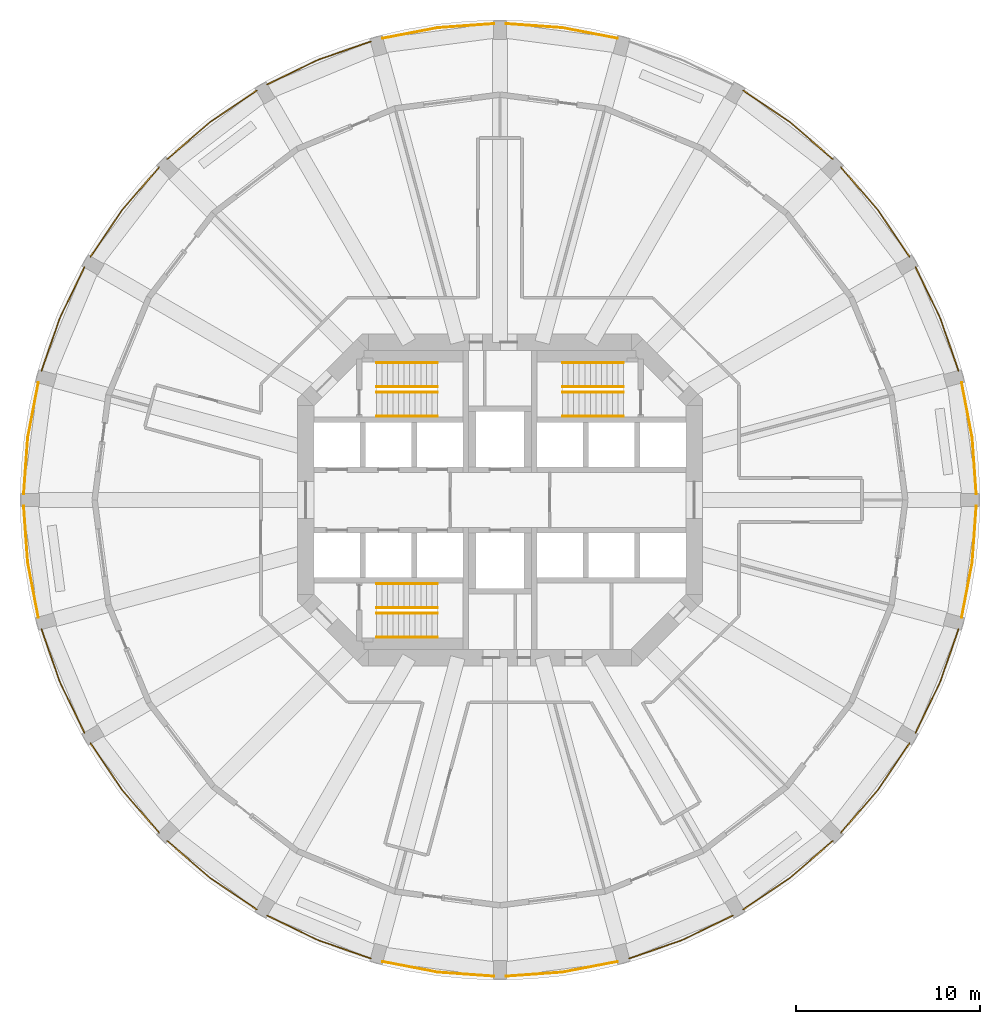
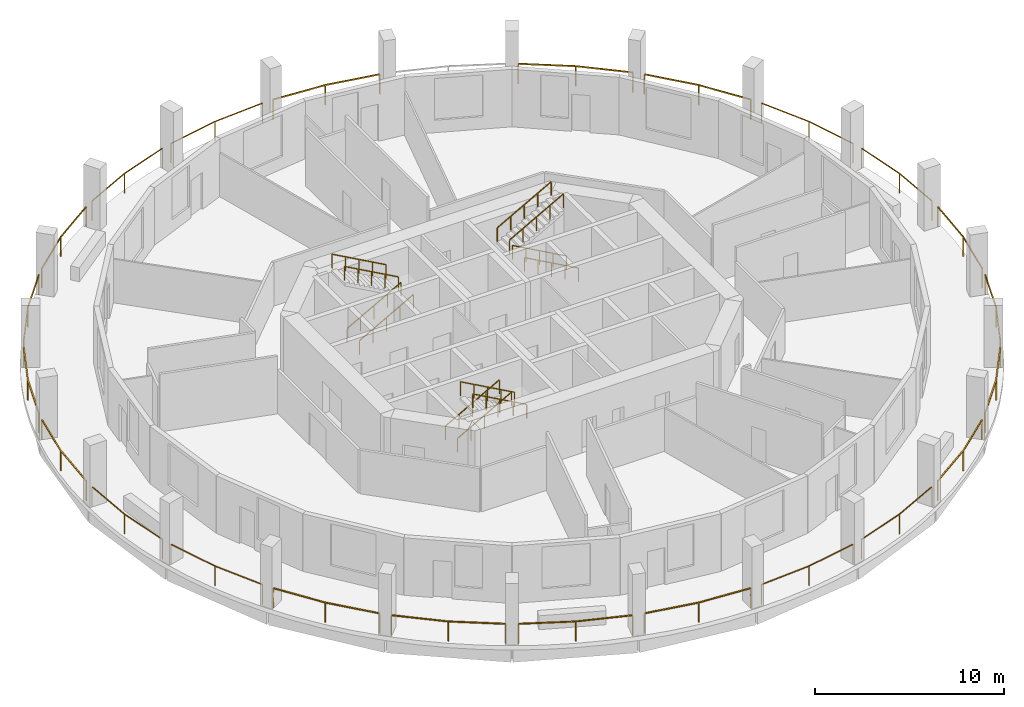
# One storey, part 7 of 8: 35 railings.
"""IFC4 building model written with IfcOpenShell, lengths in metres."""

from ifc_helpers import new_model, si_unit, direction, frame, origin, origin_2d, place, context, subcontext, project, spatial, rectangle, extrude, material, type_object, element, save


model = new_model("IFC4")

# Units and contexts
model_context = context("Model", 3, precision=1e-05, world=origin(), true_north=direction((0.0, 1.0)))
body_context = subcontext(model_context, "Body", "Model", "MODEL_VIEW")
ifc_project = project(units=[si_unit("LENGTHUNIT", "METRE"), si_unit("AREAUNIT", "SQUARE_METRE"), si_unit("VOLUMEUNIT", "CUBIC_METRE"), si_unit("PLANEANGLEUNIT", "RADIAN"), si_unit("MASSUNIT", "GRAM", prefix="KILO")], contexts=[model_context])

# Site, building, storey
site_placement = place(None, origin())
site = spatial("IfcSite", under=ifc_project, at=site_placement, CompositionType="ELEMENT")
building_placement = place(site_placement, origin())
building = spatial("IfcBuilding", under=site, at=building_placement, Name="Torre Triforio", CompositionType="ELEMENT")
storey_placement = place(building_placement, frame((0.0, 0.0, 94.60009765625)))
storey = spatial("IfcBuildingStorey", under=building, at=storey_placement, Name="L20", CompositionType="ELEMENT", Elevation=94.60009765625)

# Railings
ifc_material = material(Name="Stainless steel AISI 316", Category="steel")
railing_type_1 = type_object("IfcRailingType", Name="HANDRAIL 920", PredefinedType="HANDRAIL", material=ifc_material)
for number, where, name in (
    (1, (-6.699951171875, 4.550048828125, 0.16650390625), "Handrail ST1"),
    (2, (-6.699951171875, 5.85009765625, 0.16650390625), "Handrail ST1"),
):
    element("IfcRailing", number, at=place(storey_placement, frame(where)), inside=storey, type_object=railing_type_1, Name=name, PredefinedType="HANDRAIL", context=body_context, shape_type="SweptSolid", body=[
        extrude(rectangle(XDim=0.048095703125, YDim=0.048095703125, at=origin_2d()), frame((0.0, 0.0, 0.89599609375), z_axis=(0.874142023373, 0.0, 0.48567038511), x_axis=(0.0, 1.0, 0.0)), (0.0, 0.0, 1.0), 3.775146484375),
        extrude(rectangle(XDim=0.0419921875, YDim=0.0419921875, at=origin_2d()), origin(), (0.0, 0.0, 1.0), 0.871826171875),
        extrude(rectangle(XDim=0.0419921875, YDim=0.0419921875, at=origin_2d()), frame((0.824951171875, 0.0, 0.45849609375)), (0.0, 0.0, 1.0), 0.871826171875),
        extrude(rectangle(XDim=0.0419921875, YDim=0.0419921875, at=origin_2d()), frame((1.64990234375, 0.0, 0.916748046875)), (0.0, 0.0, 1.0), 0.871826171875),
        extrude(rectangle(XDim=0.0419921875, YDim=0.0419921875, at=origin_2d()), frame((2.47509765625, 0.0, 1.375)), (0.0, 0.0, 1.0), 0.871826171875),
        extrude(rectangle(XDim=0.0419921875, YDim=0.0419921875, at=origin_2d()), frame((3.300048828125, 0.0, 1.83349609375)), (0.0, 0.0, 1.0), 0.871826171875),
    ])
for number, where, name in (
    (3, (-3.39990234375, 7.449951171875, 2.16650390625), "Handrail ST1"),
    (4, (-3.39990234375, 6.14990234375, 2.16650390625), "Handrail ST1"),
    (5, (6.699951171875, 4.550048828125, 0.16650390625), "Handrail ST2"),
    (6, (6.699951171875, 5.85009765625, 0.16650390625), "Handrail ST2"),
):
    element("IfcRailing", number, at=place(storey_placement, frame(where)), inside=storey, type_object=railing_type_1, Name=name, PredefinedType="HANDRAIL", context=body_context, shape_type="SweptSolid", body=[
        extrude(rectangle(XDim=0.048095703125, YDim=0.048095703125, at=origin_2d()), frame((0.0, 0.0, 0.89599609375), z_axis=(-0.874142023373, 0.0, 0.48567038511), x_axis=(0.0, -1.0, 0.0)), (0.0, 0.0, 1.0), 3.775146484375),
        extrude(rectangle(XDim=0.0419921875, YDim=0.0419921875, at=origin_2d()), origin(), (0.0, 0.0, 1.0), 0.871826171875),
        extrude(rectangle(XDim=0.0419921875, YDim=0.0419921875, at=origin_2d()), frame((-0.824951171875, 0.0, 0.45849609375)), (0.0, 0.0, 1.0), 0.871826171875),
        extrude(rectangle(XDim=0.0419921875, YDim=0.0419921875, at=origin_2d()), frame((-1.64990234375, 0.0, 0.916748046875)), (0.0, 0.0, 1.0), 0.871826171875),
        extrude(rectangle(XDim=0.0419921875, YDim=0.0419921875, at=origin_2d()), frame((-2.47509765625, 0.0, 1.375)), (0.0, 0.0, 1.0), 0.871826171875),
        extrude(rectangle(XDim=0.0419921875, YDim=0.0419921875, at=origin_2d()), frame((-3.300048828125, 0.0, 1.83349609375)), (0.0, 0.0, 1.0), 0.871826171875),
    ])
for number, where, name in (
    (7, (3.39990234375, 7.449951171875, 2.16650390625), "Handrail ST2"),
    (8, (3.39990234375, 6.14990234375, 2.16650390625), "Handrail ST2"),
    (9, (-6.699951171875, -4.550048828125, 0.16650390625), "Handrail ST3"),
    (10, (-6.699951171875, -5.85009765625, 0.16650390625), "Handrail ST3"),
):
    element("IfcRailing", number, at=place(storey_placement, frame(where)), inside=storey, type_object=railing_type_1, Name=name, PredefinedType="HANDRAIL", context=body_context, shape_type="SweptSolid", body=[
        extrude(rectangle(XDim=0.048095703125, YDim=0.048095703125, at=origin_2d()), frame((0.0, 0.0, 0.89599609375), z_axis=(0.874142023373, 0.0, 0.48567038511), x_axis=(0.0, 1.0, 0.0)), (0.0, 0.0, 1.0), 3.775146484375),
        extrude(rectangle(XDim=0.0419921875, YDim=0.0419921875, at=origin_2d()), origin(), (0.0, 0.0, 1.0), 0.871826171875),
        extrude(rectangle(XDim=0.0419921875, YDim=0.0419921875, at=origin_2d()), frame((0.824951171875, 0.0, 0.45849609375)), (0.0, 0.0, 1.0), 0.871826171875),
        extrude(rectangle(XDim=0.0419921875, YDim=0.0419921875, at=origin_2d()), frame((1.64990234375, 0.0, 0.916748046875)), (0.0, 0.0, 1.0), 0.871826171875),
        extrude(rectangle(XDim=0.0419921875, YDim=0.0419921875, at=origin_2d()), frame((2.47509765625, 0.0, 1.375)), (0.0, 0.0, 1.0), 0.871826171875),
        extrude(rectangle(XDim=0.0419921875, YDim=0.0419921875, at=origin_2d()), frame((3.300048828125, 0.0, 1.83349609375)), (0.0, 0.0, 1.0), 0.871826171875),
    ])
for number, where, name in (
    (11, (-3.39990234375, -7.449951171875, 2.16650390625), "Handrail ST3"),
    (12, (-3.39990234375, -6.14990234375, 2.16650390625), "Handrail ST3"),
):
    element("IfcRailing", number, at=place(storey_placement, frame(where)), inside=storey, type_object=railing_type_1, Name=name, PredefinedType="HANDRAIL", context=body_context, shape_type="SweptSolid", body=[
        extrude(rectangle(XDim=0.048095703125, YDim=0.048095703125, at=origin_2d()), frame((0.0, 0.0, 0.89599609375), z_axis=(-0.874142023373, 0.0, 0.48567038511), x_axis=(0.0, -1.0, 0.0)), (0.0, 0.0, 1.0), 3.775146484375),
        extrude(rectangle(XDim=0.0419921875, YDim=0.0419921875, at=origin_2d()), origin(), (0.0, 0.0, 1.0), 0.871826171875),
        extrude(rectangle(XDim=0.0419921875, YDim=0.0419921875, at=origin_2d()), frame((-0.824951171875, 0.0, 0.45849609375)), (0.0, 0.0, 1.0), 0.871826171875),
        extrude(rectangle(XDim=0.0419921875, YDim=0.0419921875, at=origin_2d()), frame((-1.64990234375, 0.0, 0.916748046875)), (0.0, 0.0, 1.0), 0.871826171875),
        extrude(rectangle(XDim=0.0419921875, YDim=0.0419921875, at=origin_2d()), frame((-2.47509765625, 0.0, 1.375)), (0.0, 0.0, 1.0), 0.871826171875),
        extrude(rectangle(XDim=0.0419921875, YDim=0.0419921875, at=origin_2d()), frame((-3.300048828125, 0.0, 1.83349609375)), (0.0, 0.0, 1.0), 0.871826171875),
    ])
railing_type_2 = type_object("IfcRailingType", Name="Loggia guard 1300", PredefinedType="GUARDRAIL", material=ifc_material)
railing_1_placement = place(storey_placement, frame((25.85009765625, 0.320068359375, 0.0)))
element("IfcRailing", 13, at=railing_1_placement, inside=storey, type_object=railing_type_2, Name="Loggia guard L20 bay 01", PredefinedType="GUARDRAIL", context=body_context, shape_type="SweptSolid", body=[
    extrude(rectangle(XDim=0.050048828125, YDim=0.050048828125, at=origin_2d()), frame((0.0, 0.0, 1.27490234375), z_axis=(-0.072238625319, 0.997387377608, 0.0), x_axis=(-0.997387377608, -0.072238625319, 0.0)), (0.0, 0.0, 1.0), 3.06201171875),
    extrude(rectangle(XDim=0.050048828125, YDim=0.050048828125, at=origin_2d()), frame((-0.22119140625, 3.053955078125, 1.27490234375), z_axis=(-0.188397892972, 0.982092782747, 0.0), x_axis=(-0.982092782747, -0.188397892972, 0.0)), (0.0, 0.0, 1.0), 3.062255859375),
    extrude(rectangle(XDim=0.0400390625, YDim=0.0400390625, at=origin_2d()), origin(), (0.0, 0.0, 1.0), 1.25),
    extrude(rectangle(XDim=0.0400390625, YDim=0.0400390625, at=origin_2d()), frame((-0.22119140625, 3.053955078125, 0.0)), (0.0, 0.0, 1.0), 1.25),
    extrude(rectangle(XDim=0.0400390625, YDim=0.0400390625, at=origin_2d()), frame((-0.798095703125, 6.061279296875, 0.0)), (0.0, 0.0, 1.0), 1.25),
])
railing_2_placement = place(storey_placement, frame((24.886474609375, 6.99951171875, 0.0)))
element("IfcRailing", 14, at=railing_2_placement, inside=storey, type_object=railing_type_2, Name="Loggia guard L20 bay 02", PredefinedType="GUARDRAIL", context=body_context, shape_type="SweptSolid", body=[
    extrude(rectangle(XDim=0.050048828125, YDim=0.050048828125, at=origin_2d()), frame((0.0, 0.0, 1.27490234375), z_axis=(-0.327923737665, 0.944704198295, 0.0), x_axis=(-0.944704198295, -0.327923737665, 0.0)), (0.0, 0.0, 1.0), 3.062255859375),
    extrude(rectangle(XDim=0.050048828125, YDim=0.050048828125, at=origin_2d()), frame((-1.004150390625, 2.892822265625, 1.27490234375), z_axis=(-0.436113094806, 0.899891864914, 0.0), x_axis=(-0.899891864914, -0.436113094806, 0.0)), (0.0, 0.0, 1.0), 3.062255859375),
    extrude(rectangle(XDim=0.0400390625, YDim=0.0400390625, at=origin_2d()), origin(), (0.0, 0.0, 1.0), 1.25),
    extrude(rectangle(XDim=0.0400390625, YDim=0.0400390625, at=origin_2d()), frame((-1.004150390625, 2.892822265625, 0.0)), (0.0, 0.0, 1.0), 1.25),
    extrude(rectangle(XDim=0.0400390625, YDim=0.0400390625, at=origin_2d()), frame((-2.339599609375, 5.6484375, 0.0)), (0.0, 0.0, 1.0), 1.25),
])
railing_3_placement = place(storey_placement, frame((22.226806640625, 13.2021484375, 0.0)))
element("IfcRailing", 15, at=railing_3_placement, inside=storey, type_object=railing_type_2, Name="Loggia guard L20 bay 03", PredefinedType="GUARDRAIL", context=body_context, shape_type="SweptSolid", body=[
    extrude(rectangle(XDim=0.050048828125, YDim=0.050048828125, at=origin_2d()), frame((0.0, 0.0, 1.27490234375), z_axis=(-0.561214776852, 0.827670208624, 0.0), x_axis=(-0.827670208624, -0.561214776852, 0.0)), (0.0, 0.0, 1.0), 3.06201171875),
    extrude(rectangle(XDim=0.050048828125, YDim=0.050048828125, at=origin_2d()), frame((-1.718505859375, 2.534423828125, 1.27490234375), z_axis=(-0.654238218872, 0.75628853817, 0.0), x_axis=(-0.75628853817, -0.654238218872, 0.0)), (0.0, 0.0, 1.0), 3.062255859375),
    extrude(rectangle(XDim=0.0400390625, YDim=0.0400390625, at=origin_2d()), origin(), (0.0, 0.0, 1.0), 1.25),
    extrude(rectangle(XDim=0.0400390625, YDim=0.0400390625, at=origin_2d()), frame((-1.718505859375, 2.534423828125, 0.0)), (0.0, 0.0, 1.0), 1.25),
    extrude(rectangle(XDim=0.0400390625, YDim=0.0400390625, at=origin_2d()), frame((-3.721923828125, 4.850341796875, 0.0)), (0.0, 0.0, 1.0), 1.25),
])
railing_4_placement = place(storey_placement, frame((18.052490234375, 18.5048828125, 0.0)))
element("IfcRailing", 16, at=railing_4_placement, inside=storey, type_object=railing_type_2, Name="Loggia guard L20 bay 04", PredefinedType="GUARDRAIL", context=body_context, shape_type="SweptSolid", body=[
    extrude(rectangle(XDim=0.050048828125, YDim=0.050048828125, at=origin_2d()), frame((0.0, 0.0, 1.27490234375), z_axis=(-0.75628853817, 0.654238218872, 0.0), x_axis=(-0.654238218872, -0.75628853817, 0.0)), (0.0, 0.0, 1.0), 3.062255859375),
    extrude(rectangle(XDim=0.050048828125, YDim=0.050048828125, at=origin_2d()), frame((-2.31591796875, 2.00341796875, 1.27490234375), z_axis=(-0.827670208624, 0.561214776852, 0.0), x_axis=(-0.561214776852, -0.827670208624, 0.0)), (0.0, 0.0, 1.0), 3.06201171875),
    extrude(rectangle(XDim=0.0400390625, YDim=0.0400390625, at=origin_2d()), origin(), (0.0, 0.0, 1.0), 1.25),
    extrude(rectangle(XDim=0.0400390625, YDim=0.0400390625, at=origin_2d()), frame((-2.31591796875, 2.00341796875, 0.0)), (0.0, 0.0, 1.0), 1.25),
    extrude(rectangle(XDim=0.0400390625, YDim=0.0400390625, at=origin_2d()), frame((-4.850341796875, 3.721923828125, 0.0)), (0.0, 0.0, 1.0), 1.25),
])
railing_5_placement = place(storey_placement, frame((6.38134765625, 25.052001953125, 0.0)))
element("IfcRailing", 17, at=railing_5_placement, inside=storey, type_object=railing_type_2, Name="Loggia guard L20 bay 06", PredefinedType="GUARDRAIL", context=body_context, shape_type="SweptSolid", body=[
    extrude(rectangle(XDim=0.050048828125, YDim=0.050048828125, at=origin_2d()), frame((0.0, 0.0, 1.27490234375), z_axis=(-0.982092782747, 0.188397892972, 0.0), x_axis=(-0.188397892972, -0.982092782747, 0.0)), (0.0, 0.0, 1.0), 3.062255859375),
    extrude(rectangle(XDim=0.050048828125, YDim=0.050048828125, at=origin_2d()), frame((-3.00732421875, 0.576904296875, 1.27490234375), z_axis=(-0.997387377608, 0.072238625319, 0.0), x_axis=(-0.072238625319, -0.997387377608, 0.0)), (0.0, 0.0, 1.0), 3.06201171875),
    extrude(rectangle(XDim=0.0400390625, YDim=0.0400390625, at=origin_2d()), origin(), (0.0, 0.0, 1.0), 1.25),
    extrude(rectangle(XDim=0.0400390625, YDim=0.0400390625, at=origin_2d()), frame((-3.00732421875, 0.576904296875, 0.0)), (0.0, 0.0, 1.0), 1.25),
    extrude(rectangle(XDim=0.0400390625, YDim=0.0400390625, at=origin_2d()), frame((-6.061279296875, 0.798095703125, 0.0)), (0.0, 0.0, 1.0), 1.25),
])
railing_6_placement = place(storey_placement, frame((-0.320068359375, 25.85009765625, 0.0)))
element("IfcRailing", 18, at=railing_6_placement, inside=storey, type_object=railing_type_2, Name="Loggia guard L20 bay 07", PredefinedType="GUARDRAIL", context=body_context, shape_type="SweptSolid", body=[
    extrude(rectangle(XDim=0.050048828125, YDim=0.050048828125, at=origin_2d()), frame((0.0, 0.0, 1.27490234375), z_axis=(-0.997387377608, -0.072238625319, 0.0), x_axis=(0.072238625319, -0.997387377608, 0.0)), (0.0, 0.0, 1.0), 3.06201171875),
    extrude(rectangle(XDim=0.050048828125, YDim=0.050048828125, at=origin_2d()), frame((-3.053955078125, -0.22119140625, 1.27490234375), z_axis=(-0.982092782747, -0.188397892972, 0.0), x_axis=(0.188397892972, -0.982092782747, 0.0)), (0.0, 0.0, 1.0), 3.062255859375),
    extrude(rectangle(XDim=0.0400390625, YDim=0.0400390625, at=origin_2d()), origin(), (0.0, 0.0, 1.0), 1.25),
    extrude(rectangle(XDim=0.0400390625, YDim=0.0400390625, at=origin_2d()), frame((-3.053955078125, -0.22119140625, 0.0)), (0.0, 0.0, 1.0), 1.25),
    extrude(rectangle(XDim=0.0400390625, YDim=0.0400390625, at=origin_2d()), frame((-6.061279296875, -0.798095703125, 0.0)), (0.0, 0.0, 1.0), 1.25),
])
railing_7_placement = place(storey_placement, frame((-6.99951171875, 24.886474609375, 0.0)))
element("IfcRailing", 19, at=railing_7_placement, inside=storey, type_object=railing_type_2, Name="Loggia guard L20 bay 08", PredefinedType="GUARDRAIL", context=body_context, shape_type="SweptSolid", body=[
    extrude(rectangle(XDim=0.050048828125, YDim=0.050048828125, at=origin_2d()), frame((0.0, 0.0, 1.27490234375), z_axis=(-0.944704198295, -0.327923737665, 0.0), x_axis=(0.327923737665, -0.944704198295, 0.0)), (0.0, 0.0, 1.0), 3.062255859375),
    extrude(rectangle(XDim=0.050048828125, YDim=0.050048828125, at=origin_2d()), frame((-2.892822265625, -1.004150390625, 1.27490234375), z_axis=(-0.899891864914, -0.436113094806, 0.0), x_axis=(0.436113094806, -0.899891864914, 0.0)), (0.0, 0.0, 1.0), 3.062255859375),
    extrude(rectangle(XDim=0.0400390625, YDim=0.0400390625, at=origin_2d()), origin(), (0.0, 0.0, 1.0), 1.25),
    extrude(rectangle(XDim=0.0400390625, YDim=0.0400390625, at=origin_2d()), frame((-2.892822265625, -1.004150390625, 0.0)), (0.0, 0.0, 1.0), 1.25),
    extrude(rectangle(XDim=0.0400390625, YDim=0.0400390625, at=origin_2d()), frame((-5.6484375, -2.339599609375, 0.0)), (0.0, 0.0, 1.0), 1.25),
])
railing_8_placement = place(storey_placement, frame((-13.2021484375, 22.226806640625, 0.0)))
element("IfcRailing", 20, at=railing_8_placement, inside=storey, type_object=railing_type_2, Name="Loggia guard L20 bay 09", PredefinedType="GUARDRAIL", context=body_context, shape_type="SweptSolid", body=[
    extrude(rectangle(XDim=0.050048828125, YDim=0.050048828125, at=origin_2d()), frame((0.0, 0.0, 1.27490234375), z_axis=(-0.827670208624, -0.561214776852, 0.0), x_axis=(0.561214776852, -0.827670208624, 0.0)), (0.0, 0.0, 1.0), 3.06201171875),
    extrude(rectangle(XDim=0.050048828125, YDim=0.050048828125, at=origin_2d()), frame((-2.534423828125, -1.718505859375, 1.27490234375), z_axis=(-0.75628853817, -0.654238218872, 0.0), x_axis=(0.654238218872, -0.75628853817, 0.0)), (0.0, 0.0, 1.0), 3.062255859375),
    extrude(rectangle(XDim=0.0400390625, YDim=0.0400390625, at=origin_2d()), origin(), (0.0, 0.0, 1.0), 1.25),
    extrude(rectangle(XDim=0.0400390625, YDim=0.0400390625, at=origin_2d()), frame((-2.534423828125, -1.718505859375, 0.0)), (0.0, 0.0, 1.0), 1.25),
    extrude(rectangle(XDim=0.0400390625, YDim=0.0400390625, at=origin_2d()), frame((-4.850341796875, -3.721923828125, 0.0)), (0.0, 0.0, 1.0), 1.25),
])
railing_9_placement = place(storey_placement, frame((-18.5048828125, 18.052490234375, 0.0)))
element("IfcRailing", 21, at=railing_9_placement, inside=storey, type_object=railing_type_2, Name="Loggia guard L20 bay 10", PredefinedType="GUARDRAIL", context=body_context, shape_type="SweptSolid", body=[
    extrude(rectangle(XDim=0.050048828125, YDim=0.050048828125, at=origin_2d()), frame((0.0, 0.0, 1.27490234375), z_axis=(-0.654238218872, -0.75628853817, 0.0), x_axis=(0.75628853817, -0.654238218872, 0.0)), (0.0, 0.0, 1.0), 3.062255859375),
    extrude(rectangle(XDim=0.050048828125, YDim=0.050048828125, at=origin_2d()), frame((-2.00341796875, -2.31591796875, 1.27490234375), z_axis=(-0.561214776852, -0.827670208624, 0.0), x_axis=(0.827670208624, -0.561214776852, 0.0)), (0.0, 0.0, 1.0), 3.06201171875),
    extrude(rectangle(XDim=0.0400390625, YDim=0.0400390625, at=origin_2d()), origin(), (0.0, 0.0, 1.0), 1.25),
    extrude(rectangle(XDim=0.0400390625, YDim=0.0400390625, at=origin_2d()), frame((-2.00341796875, -2.31591796875, 0.0)), (0.0, 0.0, 1.0), 1.25),
    extrude(rectangle(XDim=0.0400390625, YDim=0.0400390625, at=origin_2d()), frame((-3.721923828125, -4.850341796875, 0.0)), (0.0, 0.0, 1.0), 1.25),
])
railing_10_placement = place(storey_placement, frame((-22.546875, 12.64794921875, 0.0)))
element("IfcRailing", 22, at=railing_10_placement, inside=storey, type_object=railing_type_2, Name="Loggia guard L20 bay 11", PredefinedType="GUARDRAIL", context=body_context, shape_type="SweptSolid", body=[
    extrude(rectangle(XDim=0.050048828125, YDim=0.050048828125, at=origin_2d()), frame((0.0, 0.0, 1.27490234375), z_axis=(-0.436113094806, -0.899891864914, 0.0), x_axis=(0.899891864914, -0.436113094806, 0.0)), (0.0, 0.0, 1.0), 3.062255859375),
    extrude(rectangle(XDim=0.050048828125, YDim=0.050048828125, at=origin_2d()), frame((-1.33544921875, -2.755615234375, 1.27490234375), z_axis=(-0.327923737665, -0.944704198295, 0.0), x_axis=(0.944704198295, -0.327923737665, 0.0)), (0.0, 0.0, 1.0), 3.062255859375),
    extrude(rectangle(XDim=0.0400390625, YDim=0.0400390625, at=origin_2d()), origin(), (0.0, 0.0, 1.0), 1.25),
    extrude(rectangle(XDim=0.0400390625, YDim=0.0400390625, at=origin_2d()), frame((-1.33544921875, -2.755615234375, 0.0)), (0.0, 0.0, 1.0), 1.25),
    extrude(rectangle(XDim=0.0400390625, YDim=0.0400390625, at=origin_2d()), frame((-2.339599609375, -5.6484375, 0.0)), (0.0, 0.0, 1.0), 1.25),
])
railing_11_placement = place(storey_placement, frame((-25.052001953125, 6.38134765625, 0.0)))
element("IfcRailing", 23, at=railing_11_placement, inside=storey, type_object=railing_type_2, Name="Loggia guard L20 bay 12", PredefinedType="GUARDRAIL", context=body_context, shape_type="SweptSolid", body=[
    extrude(rectangle(XDim=0.050048828125, YDim=0.050048828125, at=origin_2d()), frame((0.0, 0.0, 1.27490234375), z_axis=(-0.188397892972, -0.982092782747, 0.0), x_axis=(0.982092782747, -0.188397892972, 0.0)), (0.0, 0.0, 1.0), 3.062255859375),
    extrude(rectangle(XDim=0.050048828125, YDim=0.050048828125, at=origin_2d()), frame((-0.576904296875, -3.00732421875, 1.27490234375), z_axis=(-0.072238625319, -0.997387377608, 0.0), x_axis=(0.997387377608, -0.072238625319, 0.0)), (0.0, 0.0, 1.0), 3.06201171875),
    extrude(rectangle(XDim=0.0400390625, YDim=0.0400390625, at=origin_2d()), origin(), (0.0, 0.0, 1.0), 1.25),
    extrude(rectangle(XDim=0.0400390625, YDim=0.0400390625, at=origin_2d()), frame((-0.576904296875, -3.00732421875, 0.0)), (0.0, 0.0, 1.0), 1.25),
    extrude(rectangle(XDim=0.0400390625, YDim=0.0400390625, at=origin_2d()), frame((-0.798095703125, -6.061279296875, 0.0)), (0.0, 0.0, 1.0), 1.25),
])
railing_12_placement = place(storey_placement, frame((-25.85009765625, -0.320068359375, 0.0)))
element("IfcRailing", 24, at=railing_12_placement, inside=storey, type_object=railing_type_2, Name="Loggia guard L20 bay 13", PredefinedType="GUARDRAIL", context=body_context, shape_type="SweptSolid", body=[
    extrude(rectangle(XDim=0.050048828125, YDim=0.050048828125, at=origin_2d()), frame((0.0, 0.0, 1.27490234375), z_axis=(0.072238625319, -0.997387377608, 0.0), x_axis=(0.997387377608, 0.072238625319, 0.0)), (0.0, 0.0, 1.0), 3.06201171875),
    extrude(rectangle(XDim=0.050048828125, YDim=0.050048828125, at=origin_2d()), frame((0.22119140625, -3.053955078125, 1.27490234375), z_axis=(0.188397892972, -0.982092782747, 0.0), x_axis=(0.982092782747, 0.188397892972, 0.0)), (0.0, 0.0, 1.0), 3.062255859375),
    extrude(rectangle(XDim=0.0400390625, YDim=0.0400390625, at=origin_2d()), origin(), (0.0, 0.0, 1.0), 1.25),
    extrude(rectangle(XDim=0.0400390625, YDim=0.0400390625, at=origin_2d()), frame((0.22119140625, -3.053955078125, 0.0)), (0.0, 0.0, 1.0), 1.25),
    extrude(rectangle(XDim=0.0400390625, YDim=0.0400390625, at=origin_2d()), frame((0.798095703125, -6.061279296875, 0.0)), (0.0, 0.0, 1.0), 1.25),
])
railing_13_placement = place(storey_placement, frame((-24.886474609375, -6.99951171875, 0.0)))
element("IfcRailing", 25, at=railing_13_placement, inside=storey, type_object=railing_type_2, Name="Loggia guard L20 bay 14", PredefinedType="GUARDRAIL", context=body_context, shape_type="SweptSolid", body=[
    extrude(rectangle(XDim=0.050048828125, YDim=0.050048828125, at=origin_2d()), frame((0.0, 0.0, 1.27490234375), z_axis=(0.327923737665, -0.944704198295, 0.0), x_axis=(0.944704198295, 0.327923737665, 0.0)), (0.0, 0.0, 1.0), 3.062255859375),
    extrude(rectangle(XDim=0.050048828125, YDim=0.050048828125, at=origin_2d()), frame((1.004150390625, -2.892822265625, 1.27490234375), z_axis=(0.436113094806, -0.899891864914, 0.0), x_axis=(0.899891864914, 0.436113094806, 0.0)), (0.0, 0.0, 1.0), 3.062255859375),
    extrude(rectangle(XDim=0.0400390625, YDim=0.0400390625, at=origin_2d()), origin(), (0.0, 0.0, 1.0), 1.25),
    extrude(rectangle(XDim=0.0400390625, YDim=0.0400390625, at=origin_2d()), frame((1.004150390625, -2.892822265625, 0.0)), (0.0, 0.0, 1.0), 1.25),
    extrude(rectangle(XDim=0.0400390625, YDim=0.0400390625, at=origin_2d()), frame((2.339599609375, -5.6484375, 0.0)), (0.0, 0.0, 1.0), 1.25),
])
railing_14_placement = place(storey_placement, frame((-22.226806640625, -13.2021484375, 0.0)))
element("IfcRailing", 26, at=railing_14_placement, inside=storey, type_object=railing_type_2, Name="Loggia guard L20 bay 15", PredefinedType="GUARDRAIL", context=body_context, shape_type="SweptSolid", body=[
    extrude(rectangle(XDim=0.050048828125, YDim=0.050048828125, at=origin_2d()), frame((0.0, 0.0, 1.27490234375), z_axis=(0.561214776852, -0.827670208624, 0.0), x_axis=(0.827670208624, 0.561214776852, 0.0)), (0.0, 0.0, 1.0), 3.06201171875),
    extrude(rectangle(XDim=0.050048828125, YDim=0.050048828125, at=origin_2d()), frame((1.718505859375, -2.534423828125, 1.27490234375), z_axis=(0.654238218872, -0.75628853817, 0.0), x_axis=(0.75628853817, 0.654238218872, 0.0)), (0.0, 0.0, 1.0), 3.062255859375),
    extrude(rectangle(XDim=0.0400390625, YDim=0.0400390625, at=origin_2d()), origin(), (0.0, 0.0, 1.0), 1.25),
    extrude(rectangle(XDim=0.0400390625, YDim=0.0400390625, at=origin_2d()), frame((1.718505859375, -2.534423828125, 0.0)), (0.0, 0.0, 1.0), 1.25),
    extrude(rectangle(XDim=0.0400390625, YDim=0.0400390625, at=origin_2d()), frame((3.721923828125, -4.850341796875, 0.0)), (0.0, 0.0, 1.0), 1.25),
])
railing_15_placement = place(storey_placement, frame((-18.052490234375, -18.5048828125, 0.0)))
element("IfcRailing", 27, at=railing_15_placement, inside=storey, type_object=railing_type_2, Name="Loggia guard L20 bay 16", PredefinedType="GUARDRAIL", context=body_context, shape_type="SweptSolid", body=[
    extrude(rectangle(XDim=0.050048828125, YDim=0.050048828125, at=origin_2d()), frame((0.0, 0.0, 1.27490234375), z_axis=(0.75628853817, -0.654238218872, 0.0), x_axis=(0.654238218872, 0.75628853817, 0.0)), (0.0, 0.0, 1.0), 3.062255859375),
    extrude(rectangle(XDim=0.050048828125, YDim=0.050048828125, at=origin_2d()), frame((2.31591796875, -2.00341796875, 1.27490234375), z_axis=(0.827670208624, -0.561214776852, 0.0), x_axis=(0.561214776852, 0.827670208624, 0.0)), (0.0, 0.0, 1.0), 3.06201171875),
    extrude(rectangle(XDim=0.0400390625, YDim=0.0400390625, at=origin_2d()), origin(), (0.0, 0.0, 1.0), 1.25),
    extrude(rectangle(XDim=0.0400390625, YDim=0.0400390625, at=origin_2d()), frame((2.31591796875, -2.00341796875, 0.0)), (0.0, 0.0, 1.0), 1.25),
    extrude(rectangle(XDim=0.0400390625, YDim=0.0400390625, at=origin_2d()), frame((4.850341796875, -3.721923828125, 0.0)), (0.0, 0.0, 1.0), 1.25),
])
railing_16_placement = place(storey_placement, frame((-12.64794921875, -22.546875, 0.0)))
element("IfcRailing", 28, at=railing_16_placement, inside=storey, type_object=railing_type_2, Name="Loggia guard L20 bay 17", PredefinedType="GUARDRAIL", context=body_context, shape_type="SweptSolid", body=[
    extrude(rectangle(XDim=0.050048828125, YDim=0.050048828125, at=origin_2d()), frame((0.0, 0.0, 1.27490234375), z_axis=(0.899891864914, -0.436113094806, 0.0), x_axis=(0.436113094806, 0.899891864914, 0.0)), (0.0, 0.0, 1.0), 3.062255859375),
    extrude(rectangle(XDim=0.050048828125, YDim=0.050048828125, at=origin_2d()), frame((2.755615234375, -1.33544921875, 1.27490234375), z_axis=(0.944704198295, -0.327923737665, 0.0), x_axis=(0.327923737665, 0.944704198295, 0.0)), (0.0, 0.0, 1.0), 3.062255859375),
    extrude(rectangle(XDim=0.0400390625, YDim=0.0400390625, at=origin_2d()), origin(), (0.0, 0.0, 1.0), 1.25),
    extrude(rectangle(XDim=0.0400390625, YDim=0.0400390625, at=origin_2d()), frame((2.755615234375, -1.33544921875, 0.0)), (0.0, 0.0, 1.0), 1.25),
    extrude(rectangle(XDim=0.0400390625, YDim=0.0400390625, at=origin_2d()), frame((5.6484375, -2.339599609375, 0.0)), (0.0, 0.0, 1.0), 1.25),
])
railing_17_placement = place(storey_placement, frame((-6.38134765625, -25.052001953125, 0.0)))
element("IfcRailing", 29, at=railing_17_placement, inside=storey, type_object=railing_type_2, Name="Loggia guard L20 bay 18", PredefinedType="GUARDRAIL", context=body_context, shape_type="SweptSolid", body=[
    extrude(rectangle(XDim=0.050048828125, YDim=0.050048828125, at=origin_2d()), frame((0.0, 0.0, 1.27490234375), z_axis=(0.982092782747, -0.188397892972, 0.0), x_axis=(0.188397892972, 0.982092782747, 0.0)), (0.0, 0.0, 1.0), 3.062255859375),
    extrude(rectangle(XDim=0.050048828125, YDim=0.050048828125, at=origin_2d()), frame((3.00732421875, -0.576904296875, 1.27490234375), z_axis=(0.997387377608, -0.072238625319, 0.0), x_axis=(0.072238625319, 0.997387377608, 0.0)), (0.0, 0.0, 1.0), 3.06201171875),
    extrude(rectangle(XDim=0.0400390625, YDim=0.0400390625, at=origin_2d()), origin(), (0.0, 0.0, 1.0), 1.25),
    extrude(rectangle(XDim=0.0400390625, YDim=0.0400390625, at=origin_2d()), frame((3.00732421875, -0.576904296875, 0.0)), (0.0, 0.0, 1.0), 1.25),
    extrude(rectangle(XDim=0.0400390625, YDim=0.0400390625, at=origin_2d()), frame((6.061279296875, -0.798095703125, 0.0)), (0.0, 0.0, 1.0), 1.25),
])
railing_18_placement = place(storey_placement, frame((0.320068359375, -25.85009765625, 0.0)))
element("IfcRailing", 30, at=railing_18_placement, inside=storey, type_object=railing_type_2, Name="Loggia guard L20 bay 19", PredefinedType="GUARDRAIL", context=body_context, shape_type="SweptSolid", body=[
    extrude(rectangle(XDim=0.050048828125, YDim=0.050048828125, at=origin_2d()), frame((0.0, 0.0, 1.27490234375), z_axis=(0.997387377608, 0.072238625319, 0.0), x_axis=(-0.072238625319, 0.997387377608, 0.0)), (0.0, 0.0, 1.0), 3.06201171875),
    extrude(rectangle(XDim=0.050048828125, YDim=0.050048828125, at=origin_2d()), frame((3.053955078125, 0.22119140625, 1.27490234375), z_axis=(0.982092782747, 0.188397892972, 0.0), x_axis=(-0.188397892972, 0.982092782747, 0.0)), (0.0, 0.0, 1.0), 3.062255859375),
    extrude(rectangle(XDim=0.0400390625, YDim=0.0400390625, at=origin_2d()), origin(), (0.0, 0.0, 1.0), 1.25),
    extrude(rectangle(XDim=0.0400390625, YDim=0.0400390625, at=origin_2d()), frame((3.053955078125, 0.22119140625, 0.0)), (0.0, 0.0, 1.0), 1.25),
    extrude(rectangle(XDim=0.0400390625, YDim=0.0400390625, at=origin_2d()), frame((6.061279296875, 0.798095703125, 0.0)), (0.0, 0.0, 1.0), 1.25),
])
railing_19_placement = place(storey_placement, frame((6.99951171875, -24.886474609375, 0.0)))
element("IfcRailing", 31, at=railing_19_placement, inside=storey, type_object=railing_type_2, Name="Loggia guard L20 bay 20", PredefinedType="GUARDRAIL", context=body_context, shape_type="SweptSolid", body=[
    extrude(rectangle(XDim=0.050048828125, YDim=0.050048828125, at=origin_2d()), frame((0.0, 0.0, 1.27490234375), z_axis=(0.944704198295, 0.327923737665, 0.0), x_axis=(-0.327923737665, 0.944704198295, 0.0)), (0.0, 0.0, 1.0), 3.062255859375),
    extrude(rectangle(XDim=0.050048828125, YDim=0.050048828125, at=origin_2d()), frame((2.892822265625, 1.004150390625, 1.27490234375), z_axis=(0.899891864914, 0.436113094806, 0.0), x_axis=(-0.436113094806, 0.899891864914, 0.0)), (0.0, 0.0, 1.0), 3.062255859375),
    extrude(rectangle(XDim=0.0400390625, YDim=0.0400390625, at=origin_2d()), origin(), (0.0, 0.0, 1.0), 1.25),
    extrude(rectangle(XDim=0.0400390625, YDim=0.0400390625, at=origin_2d()), frame((2.892822265625, 1.004150390625, 0.0)), (0.0, 0.0, 1.0), 1.25),
    extrude(rectangle(XDim=0.0400390625, YDim=0.0400390625, at=origin_2d()), frame((5.6484375, 2.339599609375, 0.0)), (0.0, 0.0, 1.0), 1.25),
])
railing_20_placement = place(storey_placement, frame((13.2021484375, -22.226806640625, 0.0)))
element("IfcRailing", 32, at=railing_20_placement, inside=storey, type_object=railing_type_2, Name="Loggia guard L20 bay 21", PredefinedType="GUARDRAIL", context=body_context, shape_type="SweptSolid", body=[
    extrude(rectangle(XDim=0.050048828125, YDim=0.050048828125, at=origin_2d()), frame((0.0, 0.0, 1.27490234375), z_axis=(0.827670208624, 0.561214776852, 0.0), x_axis=(-0.561214776852, 0.827670208624, 0.0)), (0.0, 0.0, 1.0), 3.06201171875),
    extrude(rectangle(XDim=0.050048828125, YDim=0.050048828125, at=origin_2d()), frame((2.534423828125, 1.718505859375, 1.27490234375), z_axis=(0.75628853817, 0.654238218872, 0.0), x_axis=(-0.654238218872, 0.75628853817, 0.0)), (0.0, 0.0, 1.0), 3.062255859375),
    extrude(rectangle(XDim=0.0400390625, YDim=0.0400390625, at=origin_2d()), origin(), (0.0, 0.0, 1.0), 1.25),
    extrude(rectangle(XDim=0.0400390625, YDim=0.0400390625, at=origin_2d()), frame((2.534423828125, 1.718505859375, 0.0)), (0.0, 0.0, 1.0), 1.25),
    extrude(rectangle(XDim=0.0400390625, YDim=0.0400390625, at=origin_2d()), frame((4.850341796875, 3.721923828125, 0.0)), (0.0, 0.0, 1.0), 1.25),
])
railing_21_placement = place(storey_placement, frame((18.5048828125, -18.052490234375, 0.0)))
element("IfcRailing", 33, at=railing_21_placement, inside=storey, type_object=railing_type_2, Name="Loggia guard L20 bay 22", PredefinedType="GUARDRAIL", context=body_context, shape_type="SweptSolid", body=[
    extrude(rectangle(XDim=0.050048828125, YDim=0.050048828125, at=origin_2d()), frame((0.0, 0.0, 1.27490234375), z_axis=(0.654238218872, 0.75628853817, 0.0), x_axis=(-0.75628853817, 0.654238218872, 0.0)), (0.0, 0.0, 1.0), 3.062255859375),
    extrude(rectangle(XDim=0.050048828125, YDim=0.050048828125, at=origin_2d()), frame((2.00341796875, 2.31591796875, 1.27490234375), z_axis=(0.561214776852, 0.827670208624, 0.0), x_axis=(-0.827670208624, 0.561214776852, 0.0)), (0.0, 0.0, 1.0), 3.06201171875),
    extrude(rectangle(XDim=0.0400390625, YDim=0.0400390625, at=origin_2d()), origin(), (0.0, 0.0, 1.0), 1.25),
    extrude(rectangle(XDim=0.0400390625, YDim=0.0400390625, at=origin_2d()), frame((2.00341796875, 2.31591796875, 0.0)), (0.0, 0.0, 1.0), 1.25),
    extrude(rectangle(XDim=0.0400390625, YDim=0.0400390625, at=origin_2d()), frame((3.721923828125, 4.850341796875, 0.0)), (0.0, 0.0, 1.0), 1.25),
])
railing_22_placement = place(storey_placement, frame((22.546875, -12.64794921875, 0.0)))
element("IfcRailing", 34, at=railing_22_placement, inside=storey, type_object=railing_type_2, Name="Loggia guard L20 bay 23", PredefinedType="GUARDRAIL", context=body_context, shape_type="SweptSolid", body=[
    extrude(rectangle(XDim=0.050048828125, YDim=0.050048828125, at=origin_2d()), frame((0.0, 0.0, 1.27490234375), z_axis=(0.436113094806, 0.899891864914, 0.0), x_axis=(-0.899891864914, 0.436113094806, 0.0)), (0.0, 0.0, 1.0), 3.062255859375),
    extrude(rectangle(XDim=0.050048828125, YDim=0.050048828125, at=origin_2d()), frame((1.33544921875, 2.755615234375, 1.27490234375), z_axis=(0.327923737665, 0.944704198295, 0.0), x_axis=(-0.944704198295, 0.327923737665, 0.0)), (0.0, 0.0, 1.0), 3.062255859375),
    extrude(rectangle(XDim=0.0400390625, YDim=0.0400390625, at=origin_2d()), origin(), (0.0, 0.0, 1.0), 1.25),
    extrude(rectangle(XDim=0.0400390625, YDim=0.0400390625, at=origin_2d()), frame((1.33544921875, 2.755615234375, 0.0)), (0.0, 0.0, 1.0), 1.25),
    extrude(rectangle(XDim=0.0400390625, YDim=0.0400390625, at=origin_2d()), frame((2.339599609375, 5.6484375, 0.0)), (0.0, 0.0, 1.0), 1.25),
])
railing_23_placement = place(storey_placement, frame((25.052001953125, -6.38134765625, 0.0)))
element("IfcRailing", 35, at=railing_23_placement, inside=storey, type_object=railing_type_2, Name="Loggia guard L20 bay 24", PredefinedType="GUARDRAIL", context=body_context, shape_type="SweptSolid", body=[
    extrude(rectangle(XDim=0.050048828125, YDim=0.050048828125, at=origin_2d()), frame((0.0, 0.0, 1.27490234375), z_axis=(0.188397892972, 0.982092782747, 0.0), x_axis=(-0.982092782747, 0.188397892972, 0.0)), (0.0, 0.0, 1.0), 3.062255859375),
    extrude(rectangle(XDim=0.050048828125, YDim=0.050048828125, at=origin_2d()), frame((0.576904296875, 3.00732421875, 1.27490234375), z_axis=(0.072238625319, 0.997387377608, 0.0), x_axis=(-0.997387377608, 0.072238625319, 0.0)), (0.0, 0.0, 1.0), 3.06201171875),
    extrude(rectangle(XDim=0.0400390625, YDim=0.0400390625, at=origin_2d()), origin(), (0.0, 0.0, 1.0), 1.25),
    extrude(rectangle(XDim=0.0400390625, YDim=0.0400390625, at=origin_2d()), frame((0.576904296875, 3.00732421875, 0.0)), (0.0, 0.0, 1.0), 1.25),
    extrude(rectangle(XDim=0.0400390625, YDim=0.0400390625, at=origin_2d()), frame((0.798095703125, 6.061279296875, 0.0)), (0.0, 0.0, 1.0), 1.25),
])

save(model, "model.ifc")
